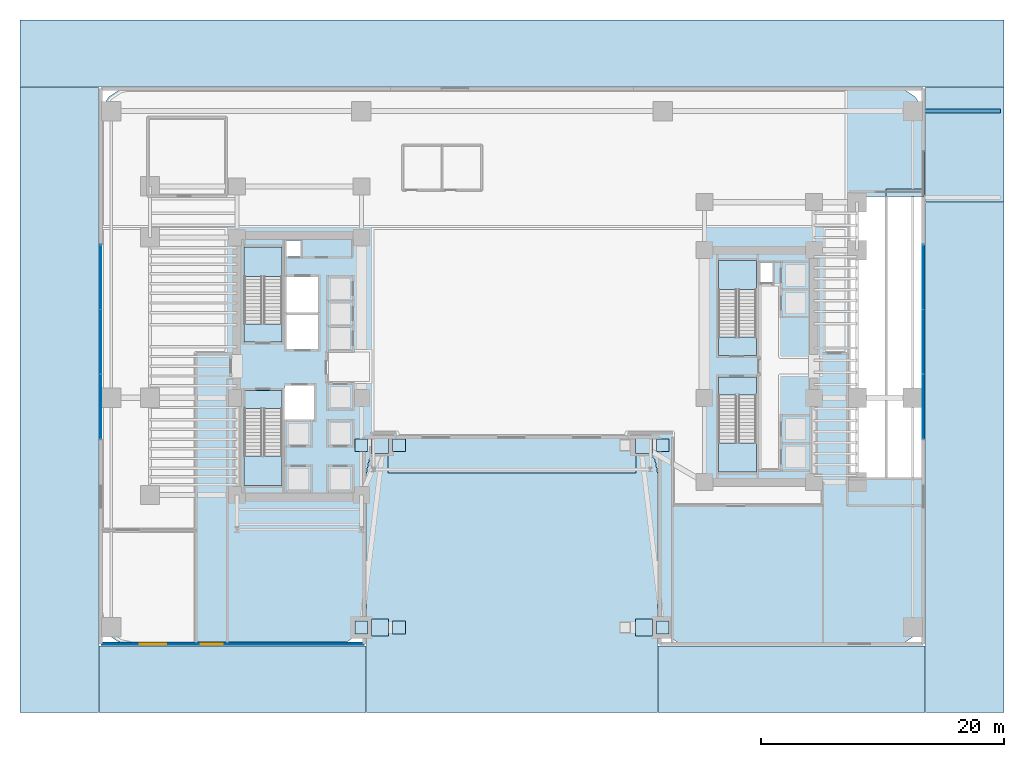
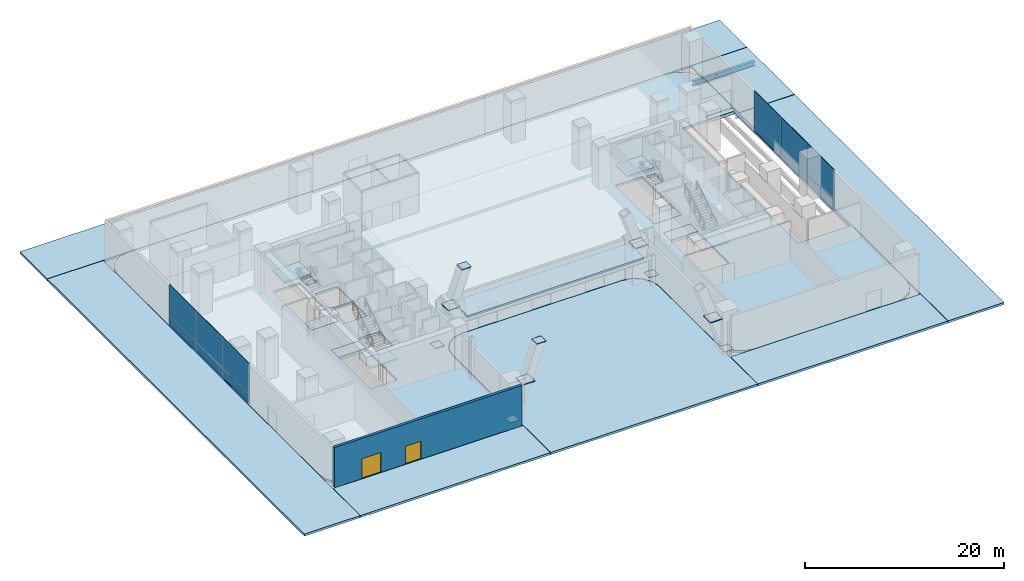
# One storey, part 15 of 27: 20 plates, 18 slabs, 2 doors, 1 beam, 1 wall, 2 openings, 6 elements without a shape of their own.
"""IFC4 building model written with IfcOpenShell, lengths in metres."""

from ifc_helpers import new_model, si_unit, direction, frame, frame_2d, origin, origin_2d, place, context, subcontext, project, spatial, polyline, rectangle, i_section, outline, extrude, source, transform, mapped, material, layer, layer_set, material_profile, profile_set, type_object, element, fill, aggregate, save


model = new_model("IFC4")

# Units and contexts
model_context = context("Model", 3, precision=1e-05, world=origin(), true_north=direction((0.0, 1.0)))
body_context = subcontext(model_context, "Body", "Model", "MODEL_VIEW")
ifc_project = project(units=[si_unit("LENGTHUNIT", "METRE"), si_unit("AREAUNIT", "SQUARE_METRE"), si_unit("VOLUMEUNIT", "CUBIC_METRE"), si_unit("PLANEANGLEUNIT", "RADIAN"), si_unit("MASSUNIT", "GRAM", prefix="KILO")], contexts=[model_context])

# Site, building, storey
site_placement = place(None, origin())
site = spatial("IfcSite", under=ifc_project, at=site_placement, CompositionType="ELEMENT")
building_placement = place(site_placement, origin())
building = spatial("IfcBuilding", under=site, at=building_placement, Name="Valdorenza Pilgrim Sanctuary Tower", CompositionType="ELEMENT")
storey_placement = place(building_placement, origin())
storey = spatial("IfcBuildingStorey", under=building, at=storey_placement, Name="L00", CompositionType="ELEMENT", Elevation=0.0)

# Beam
ifc_material_1 = material(Name="Steel ASTM A992 Grade 50", Category="steel")
ifc_material_profile = material_profile(ifc_material_1, i_section(OverallWidth=0.323974609375, OverallDepth=0.611083984375, WebThickness=0.0126953125, FlangeThickness=0.01904296875, at=origin_2d()), Name="W24X104")
ifc_profile_set = profile_set([ifc_material_profile], Name="Steel ASTM A992 Grade 50")
beam_type = type_object("IfcBeamType", Name="STR-BM-GRD-W24B", PredefinedType="BEAM", material=ifc_profile_set)
shared_shape_1 = source(origin(), body_context, "Body", "SweptSolid", [
    extrude(i_section(OverallWidth=0.323974609375, OverallDepth=0.611083984375, WebThickness=0.0126953125, FlangeThickness=0.01904296875, at=origin_2d()), origin(), (0.0, 0.0, 1.0), 7.199951171875),
])
beam_placement = place(storey_placement, frame((33.0, 21.0, -0.570068359375), z_axis=(1.0, 0.0, 0.0), x_axis=(0.0, 1.0, 0.0)))
element("IfcBeam", 1, at=beam_placement, inside=storey, type_object=beam_type, Name="L00 Driveway Apron Support Beam APR-N", PredefinedType="BEAM", context=body_context, shape_type="MappedRepresentation", body=[
    mapped(shared_shape_1, transform((0.0, 0.0, 0.0), x_axis=(1.0, 0.0, 0.0), y_axis=(0.0, 1.0, 0.0), z_axis=(0.0, 0.0, 1.0), scale=1.0)),
])

# Slabs
ifc_material_2 = material(Name="Champagne anodised aluminium", Category="aluminium")
ifc_layer_1 = layer(ifc_material_2, 0.239990234375, Name="Champagne anodised aluminium")
ifc_layer_set_1 = layer_set([ifc_layer_1], Name="Champagne anodised aluminium")
slab_type_1 = type_object("IfcSlabType", Name="CNPY-PORTAL", PredefinedType="ROOF", material=ifc_layer_set_1)
slab_1_placement = place(storey_placement, frame((0.0, 0.0, 3.89990234375)))
element("IfcSlab", 2, at=slab_1_placement, inside=storey, type_object=slab_type_1, Name="Portal Arch Entrance Weather Canopy", PredefinedType="ROOF", context=body_context, shape_type="SweptSolid", body=[
    extrude(outline(polyline([(-10.199951171875, -8.800048828125), (10.199951171875, -8.800048828125), (10.199951171875, -5.85009765625), (-10.199951171875, -5.85009765625), (-10.199951171875, -8.800048828125)])), origin(), (0.0, 0.0, 1.0), 0.239990234375),
])
ifc_material_3 = material(Name="Concrete C40/50", Category="concrete")
ifc_layer_2 = layer(ifc_material_3, 0.260009765625, Name="Concrete C40/50")
ifc_layer_set_2 = layer_set([ifc_layer_2], Name="Concrete C40/50")
slab_type_2 = type_object("IfcSlabType", Name="SLAB-PAV-190", PredefinedType="USERDEFINED", material=ifc_layer_set_2)
slab_2_placement = place(storey_placement, frame((0.0, 0.0, -0.260009765625)))
element("IfcSlab", 3, at=slab_2_placement, inside=storey, type_object=slab_type_2, Name="Portal Arch Public Plaza Paving", ObjectType="PAVING", PredefinedType="USERDEFINED", context=body_context, shape_type="SweptSolid", body=[
    extrude(outline(polyline([(11.97509765625, -28.5), (-11.97509765625, -28.5), (-11.97509765625, -8.802490234375), (-11.763427734375, -7.73828125), (-11.161865234375, -6.838134765625), (-10.26171875, -6.236572265625), (-9.197509765625, -6.02490234375), (9.197509765625, -6.02490234375), (10.26171875, -6.236572265625), (11.161865234375, -6.838134765625), (11.763427734375, -7.73828125), (11.97509765625, -8.802490234375), (11.97509765625, -28.5)])), origin(), (0.0, 0.0, 1.0), 0.260009765625),
])
slab_3_placement = place(storey_placement, frame((0.0, 0.0, -0.260009765625)))
element("IfcSlab", 4, at=slab_3_placement, inside=storey, type_object=slab_type_2, Name="North Street Sidewalk and Ramp Apron Paving", ObjectType="PAVING", PredefinedType="USERDEFINED", context=body_context, shape_type="SweptSolid", body=[
    extrude(outline(polyline([(-40.5, 28.5), (40.5, 28.5), (40.5, 23.02490234375), (-40.5, 23.02490234375), (-40.5, 28.5)])), origin(), (0.0, 0.0, 1.0), 0.260009765625),
])
slab_4_placement = place(storey_placement, frame((0.0, 0.0, -0.260009765625)))
element("IfcSlab", 5, at=slab_4_placement, inside=storey, type_object=slab_type_2, Name="East Vehicular Ramp Driveway Apron", ObjectType="PAVING", PredefinedType="USERDEFINED", context=body_context, shape_type="SweptSolid", body=[
    extrude(outline(polyline([(40.5, 23.0), (40.5, 13.5), (34.02490234375, 13.5), (34.02490234375, 23.0), (40.5, 23.0)])), origin(), (0.0, 0.0, 1.0), 0.260009765625),
])
slab_5_placement = place(storey_placement, frame((0.0, 0.0, -0.260009765625)))
element("IfcSlab", 6, at=slab_5_placement, inside=storey, type_object=slab_type_2, Name="West Street Exit Sidewalk Paving", ObjectType="PAVING", PredefinedType="USERDEFINED", context=body_context, shape_type="SweptSolid", body=[
    extrude(outline(polyline([(-40.5, -28.5), (-40.5, 23.0), (-34.02490234375, 23.0), (-34.02490234375, -28.5), (-40.5, -28.5)])), origin(), (0.0, 0.0, 1.0), 0.260009765625),
])
slab_6_placement = place(storey_placement, frame((0.0, 0.0, -0.260009765625)))
element("IfcSlab", 7, at=slab_6_placement, inside=storey, type_object=slab_type_2, Name="East Street Exit Sidewalk Paving", ObjectType="PAVING", PredefinedType="USERDEFINED", context=body_context, shape_type="SweptSolid", body=[
    extrude(outline(polyline([(40.5, -28.5), (34.02490234375, -28.5), (34.02490234375, 13.469970703125), (40.5, 13.469970703125), (40.5, -28.5)])), origin(), (0.0, 0.0, 1.0), 0.260009765625),
])
slab_7_placement = place(storey_placement, frame((0.0, 0.0, -0.260009765625)))
element("IfcSlab", 8, at=slab_7_placement, inside=storey, type_object=slab_type_2, Name="South-West Forecourt Paving", ObjectType="PAVING", PredefinedType="USERDEFINED", context=body_context, shape_type="SweptSolid", body=[
    extrude(outline(polyline([(-12.0, -28.5), (-34.0, -28.5), (-34.0, -23.02490234375), (-12.0, -23.02490234375), (-12.0, -28.5)])), origin(), (0.0, 0.0, 1.0), 0.260009765625),
])
slab_8_placement = place(storey_placement, frame((0.0, 0.0, -0.260009765625)))
element("IfcSlab", 9, at=slab_8_placement, inside=storey, type_object=slab_type_2, Name="South-East Forecourt Paving", ObjectType="PAVING", PredefinedType="USERDEFINED", context=body_context, shape_type="SweptSolid", body=[
    extrude(outline(polyline([(34.0, -28.5), (12.0, -28.5), (12.0, -23.02490234375), (34.0, -23.02490234375), (34.0, -28.5)])), origin(), (0.0, 0.0, 1.0), 0.260009765625),
])
ifc_layer_3 = layer(ifc_material_3, 0.280029296875, Name="Concrete C40/50")
ifc_layer_set_3 = layer_set([ifc_layer_3], Name="Concrete C40/50")
slab_type_3 = type_object("IfcSlabType", Name="SLAB-POD-280", PredefinedType="FLOOR", material=ifc_layer_set_3)
slab_9_placement = place(storey_placement, frame((0.0, 0.0, -0.280029296875)))
element("IfcSlab", 10, at=slab_9_placement, inside=storey, type_object=slab_type_3, Name="L00 Structural Floor Slab 1", PredefinedType="FLOOR", context=body_context, shape_type="SweptSolid", body=[
    extrude(outline(polyline([(-34.0, 20.199951171875), (-33.786865234375, 21.271484375), (-33.179931640625, 22.179931640625), (-32.271484375, 22.786865234375), (-31.199951171875, 23.0), (31.199951171875, 23.0), (32.271484375, 22.786865234375), (33.179931640625, 22.179931640625), (33.786865234375, 21.271484375), (34.0, 20.199951171875), (34.0, -20.199951171875), (33.786865234375, -21.271484375), (33.179931640625, -22.179931640625), (32.271484375, -22.786865234375), (31.199951171875, -23.0), (14.800048828125, -23.0), (13.728515625, -22.786865234375), (12.820068359375, -22.179931640625), (12.213134765625, -21.271484375), (12.0, -20.199951171875), (12.0, -8.800048828125), (11.786865234375, -7.728515625), (11.179931640625, -6.820068359375), (10.271484375, -6.213134765625), (9.199951171875, -6.0), (-9.199951171875, -6.0), (-10.271484375, -6.213134765625), (-11.179931640625, -6.820068359375), (-11.786865234375, -7.728515625), (-12.0, -8.800048828125), (-12.0, -20.199951171875), (-12.213134765625, -21.271484375), (-12.820068359375, -22.179931640625), (-13.728515625, -22.786865234375), (-14.800048828125, -23.0), (-31.199951171875, -23.0), (-32.271484375, -22.786865234375), (-33.179931640625, -22.179931640625), (-33.786865234375, -21.271484375), (-34.0, -20.199951171875), (-34.0, 20.199951171875)]), holes=[polyline([(-22.050048828125, -9.800048828125), (-18.93994140625, -9.800048828125), (-18.93994140625, -3.485107421875), (-18.93994140625, -2.0), (-22.050048828125, -2.0), (-22.050048828125, -3.485107421875), (-22.050048828125, -9.800048828125)]), polyline([(-16.300048828125, -4.39990234375), (-16.300048828125, -1.60009765625), (-18.719970703125, -1.60009765625), (-18.719970703125, -4.39990234375), (-16.300048828125, -4.39990234375)]), polyline([(-22.050048828125, 2.0), (-18.93994140625, 2.0), (-18.93994140625, 3.485107421875), (-18.93994140625, 9.800048828125), (-22.050048828125, 9.800048828125), (-22.050048828125, 3.485107421875), (-22.050048828125, 2.0)]), polyline([(-15.949951171875, 1.39990234375), (-15.949951171875, 4.22509765625), (-18.550048828125, 4.22509765625), (-18.550048828125, 1.39990234375), (-15.949951171875, 1.39990234375)]), polyline([(-15.949951171875, 4.425048828125), (-15.949951171875, 7.35009765625), (-18.550048828125, 7.35009765625), (-18.550048828125, 4.425048828125), (-15.949951171875, 4.425048828125)]), polyline([(-17.360107421875, 9.030029296875), (-17.360107421875, 10.35009765625), (-18.570068359375, 10.35009765625), (-18.570068359375, 9.030029296875), (-17.360107421875, 9.030029296875)]), polyline([(17.0, -8.699951171875), (20.110107421875, -8.699951171875), (20.110107421875, -2.385009765625), (20.110107421875, -0.89990234375), (17.0, -0.89990234375), (17.0, -2.385009765625), (17.0, -8.699951171875)]), polyline([(20.110107421875, 0.89990234375), (20.110107421875, 2.385009765625), (20.110107421875, 8.699951171875), (17.0, 8.699951171875), (17.0, 2.385009765625), (17.0, 0.89990234375), (20.110107421875, 0.89990234375)]), polyline([(30.800048828125, 14.60009765625), (30.800048828125, 13.985107421875), (27.800048828125, 13.985107421875), (27.800048828125, -9.18505859375), (33.800048828125, -9.18505859375), (33.800048828125, 13.97998046875), (33.89990234375, 13.97998046875), (33.89990234375, 14.60009765625), (30.800048828125, 14.60009765625)]), polyline([(21.489990234375, 6.860107421875), (21.489990234375, 8.52001953125), (20.409912109375, 8.52001953125), (20.409912109375, 6.860107421875), (21.489990234375, 6.860107421875)])]), origin(), (0.0, 0.0, 1.0), 0.280029296875),
])

# Stair, slab
stair_type = type_object("IfcStairType", Name="STR-DOG-CORE", PredefinedType="HALF_TURN_STAIR", material=ifc_material_3)
stair_1_placement = place(storey_placement, origin())
stair_1 = element("IfcStair", 11, at=stair_1_placement, inside=storey, type_object=stair_type, Name="L00 ST-A1", PredefinedType="HALF_TURN_STAIR")
ifc_layer_4 = layer(ifc_material_3, 0.199951171875, Name="Concrete C40/50")
ifc_layer_set_4 = layer_set([ifc_layer_4], Name="Concrete C40/50")
slab_type_4 = type_object("IfcSlabType", Name="SLAB-STL-200", PredefinedType="LANDING", material=ifc_layer_set_4)
slab_10_placement = place(storey_placement, frame((0.0, 0.0, 2.39990234375)))
slab_10 = element("IfcSlab", 12, at=slab_10_placement, type_object=slab_type_4, Name="ST-A1 landing 1", PredefinedType="LANDING", context=body_context, shape_type="SweptSolid", body=[
    extrude(outline(polyline([(-18.93994140625, 7.39990234375), (-18.93994140625, 9.800048828125), (-22.050048828125, 9.800048828125), (-22.050048828125, 7.39990234375), (-18.93994140625, 7.39990234375)])), origin(), (0.0, 0.0, 1.0), 0.2001953125),
])
aggregate(stair_1, [slab_10])

stair_2_placement = place(storey_placement, origin())
stair_2 = element("IfcStair", 13, at=stair_2_placement, inside=storey, type_object=stair_type, Name="L00 ST-A2", PredefinedType="HALF_TURN_STAIR")
slab_11_placement = place(storey_placement, frame((0.0, 0.0, 2.39990234375)))
slab_11 = element("IfcSlab", 14, at=slab_11_placement, type_object=slab_type_4, Name="ST-A2 landing 1", PredefinedType="LANDING", context=body_context, shape_type="SweptSolid", body=[
    extrude(outline(polyline([(-22.050048828125, -7.39990234375), (-22.050048828125, -9.800048828125), (-18.93994140625, -9.800048828125), (-18.93994140625, -7.39990234375), (-22.050048828125, -7.39990234375)])), origin(), (0.0, 0.0, 1.0), 0.2001953125),
])
aggregate(stair_2, [slab_11])

stair_3_placement = place(storey_placement, origin())
stair_3 = element("IfcStair", 15, at=stair_3_placement, inside=storey, type_object=stair_type, Name="L00 ST-B1", PredefinedType="HALF_TURN_STAIR")
slab_12_placement = place(storey_placement, frame((0.0, 0.0, 2.39990234375)))
slab_12 = element("IfcSlab", 16, at=slab_12_placement, type_object=slab_type_4, Name="ST-B1 landing 1", PredefinedType="LANDING", context=body_context, shape_type="SweptSolid", body=[
    extrude(outline(polyline([(20.110107421875, 6.300048828125), (20.110107421875, 8.699951171875), (17.0, 8.699951171875), (17.0, 6.300048828125), (20.110107421875, 6.300048828125)])), origin(), (0.0, 0.0, 1.0), 0.2001953125),
])
aggregate(stair_3, [slab_12])

stair_4_placement = place(storey_placement, origin())
stair_4 = element("IfcStair", 17, at=stair_4_placement, inside=storey, type_object=stair_type, Name="L00 ST-B2", PredefinedType="HALF_TURN_STAIR")
slab_13_placement = place(storey_placement, frame((0.0, 0.0, 2.39990234375)))
slab_13 = element("IfcSlab", 18, at=slab_13_placement, type_object=slab_type_4, Name="ST-B2 landing 1", PredefinedType="LANDING", context=body_context, shape_type="SweptSolid", body=[
    extrude(outline(polyline([(17.0, -6.300048828125), (17.0, -8.699951171875), (20.110107421875, -8.699951171875), (20.110107421875, -6.300048828125), (17.0, -6.300048828125)])), origin(), (0.0, 0.0, 1.0), 0.2001953125),
])
aggregate(stair_4, [slab_13])

# Slabs
ifc_material_4 = material(Name="Concrete C50/60", Category="concrete")
ifc_layer_5 = layer(ifc_material_4, 0.39990234375, Name="Concrete C50/60")
ifc_layer_set_5 = layer_set([ifc_layer_5], Name="Concrete C50/60")
slab_type_5 = type_object("IfcSlabType", Name="SLAB-TRF-400", PredefinedType="FLOOR", material=ifc_layer_set_5)
slab_14_placement = place(storey_placement, frame((0.0, 0.0, -0.360107421875)))
element("IfcSlab", 19, at=slab_14_placement, inside=storey, type_object=slab_type_5, Name="L00 ST-A1 Structural Stair Landing Bearing Slab", PredefinedType="FLOOR", context=body_context, shape_type="SweptSolid", body=[
    extrude(outline(polyline([(-22.050048828125, 2.0), (-18.93994140625, 2.0), (-18.93994140625, 3.485107421875), (-22.050048828125, 3.485107421875), (-22.050048828125, 2.0)])), origin(), (0.0, 0.0, 1.0), 0.360107421875),
])
slab_15_placement = place(storey_placement, frame((0.0, 0.0, -0.360107421875)))
element("IfcSlab", 20, at=slab_15_placement, inside=storey, type_object=slab_type_5, Name="L00 ST-A2 Structural Stair Landing Bearing Slab", PredefinedType="FLOOR", context=body_context, shape_type="SweptSolid", body=[
    extrude(outline(polyline([(-22.050048828125, -3.485107421875), (-18.93994140625, -3.485107421875), (-18.93994140625, -2.0), (-22.050048828125, -2.0), (-22.050048828125, -3.485107421875)])), origin(), (0.0, 0.0, 1.0), 0.360107421875),
])
slab_16_placement = place(storey_placement, frame((0.0, 0.0, -0.360107421875)))
element("IfcSlab", 21, at=slab_16_placement, inside=storey, type_object=slab_type_5, Name="L00 ST-B1 Structural Stair Landing Bearing Slab", PredefinedType="FLOOR", context=body_context, shape_type="SweptSolid", body=[
    extrude(outline(polyline([(17.0, 0.89990234375), (20.110107421875, 0.89990234375), (20.110107421875, 2.385009765625), (17.0, 2.385009765625), (17.0, 0.89990234375)])), origin(), (0.0, 0.0, 1.0), 0.360107421875),
])
slab_17_placement = place(storey_placement, frame((0.0, 0.0, -0.360107421875)))
element("IfcSlab", 22, at=slab_17_placement, inside=storey, type_object=slab_type_5, Name="L00 ST-B2 Structural Stair Landing Bearing Slab", PredefinedType="FLOOR", context=body_context, shape_type="SweptSolid", body=[
    extrude(outline(polyline([(17.0, -2.385009765625), (20.110107421875, -2.385009765625), (20.110107421875, -0.89990234375), (17.0, -0.89990234375), (17.0, -2.385009765625)])), origin(), (0.0, 0.0, 1.0), 0.360107421875),
])
slab_18_placement = place(storey_placement, frame((0.0, 0.0, -0.3798828125)))
element("IfcSlab", 23, at=slab_18_placement, inside=storey, type_object=slab_type_5, Name="L00 Vehicle Ramp Threshold Bearing Slab", PredefinedType="FLOOR", context=body_context, shape_type="SweptSolid", body=[
    extrude(outline(polyline([(30.800048828125, 13.97998046875), (33.89990234375, 13.97998046875), (33.89990234375, 14.60009765625), (30.800048828125, 14.60009765625), (30.800048828125, 13.97998046875)])), origin(), (0.0, 0.0, 1.0), 0.3798828125),
])

# Plates
ifc_material_5 = material(Name="Steel ASTM A572 Grade 42", Category="steel")
ifc_layer_6 = layer(ifc_material_5, 0.06005859375, Name="Steel ASTM A572 Grade 42")
ifc_layer_set_6 = layer_set([ifc_layer_6], Name="Steel ASTM A572 Grade 42")
plate_type_1 = type_object("IfcPlateType", Name="PLT-CAP-60", PredefinedType="SHEET", material=ifc_layer_set_6)
shared_shape_2 = source(origin(), body_context, "Body", "SweptSolid", [
    extrude(rectangle(XDim=1.050048828125, YDim=1.050048828125, at=origin_2d()), origin(), (0.0, 0.0, 1.0), 0.06005859375),
])
for number, where, z_axis, x_axis, name in (
    (24, (-12.39990234375, -21.5, -0.030029296875), (0.0, 0.0, 1.0), (1.0, 0.0, 0.0), "Parabolic Portal Arch Rib SOUTH Seg 1 End Connection Plate 1"),
    (25, (-9.300048828125, -21.5, 8.544921875), (0.0, 0.0, 1.0), (1.0, 0.0, 0.0), "Parabolic Portal Arch Rib SOUTH Seg 1 End Connection Plate 2"),
    (26, (12.39990234375, -21.5, -0.030029296875), (0.0, 0.0, 1.0), (1.0, 0.0, 0.0), "Parabolic Portal Arch Rib SOUTH Seg 8 End Connection Plate 2"),
    (27, (-12.39990234375, -6.5, -0.030029296875), (0.0, 0.0, 1.0), (1.0, 0.0, 0.0), "Parabolic Portal Arch Rib INNER Seg 1 End Connection Plate 1"),
    (28, (-9.300048828125, -6.5, 8.544921875), (0.0, 0.0, 1.0), (1.0, 0.0, 0.0), "Parabolic Portal Arch Rib INNER Seg 1 End Connection Plate 2"),
    (29, (12.39990234375, -6.5, -0.030029296875), (0.0, 0.0, 1.0), (1.0, 0.0, 0.0), "Parabolic Portal Arch Rib INNER Seg 8 End Connection Plate 2"),
):
    element("IfcPlate", number, at=place(storey_placement, frame(where, z_axis=z_axis, x_axis=x_axis)), inside=storey, type_object=plate_type_1, Name=name, PredefinedType="SHEET", context=body_context, shape_type="MappedRepresentation", body=[
        mapped(shared_shape_2, transform((0.0, 0.0, 0.0), x_axis=(1.0, 0.0, 0.0), y_axis=(0.0, 1.0, 0.0), z_axis=(0.0, 0.0, 1.0), scale=1.0)),
    ])
ifc_layer_7 = layer(ifc_material_5, 0.090087890625, Name="Steel ASTM A572 Grade 42")
ifc_layer_set_7 = layer_set([ifc_layer_7], Name="Steel ASTM A572 Grade 42")
plate_type_2 = type_object("IfcPlateType", Name="PLT-GUS-90", PredefinedType="USERDEFINED", material=ifc_layer_set_7)
shared_shape_3 = source(origin(), body_context, "Body", "SweptSolid", [
    extrude(rectangle(XDim=1.39990234375, YDim=1.39990234375, at=origin_2d()), origin(), (0.0, 0.0, 1.0), 0.090087890625),
])
for number, where, z_axis, x_axis, name in (
    (30, (-10.85009765625, -21.5, 4.24267578125), (0.0, 0.0, 1.0), (1.0, 0.0, 0.0), "Truss Node Gusset Assembly AN-01 (MB-ARCH-SOUTH-1)"),
    (31, (10.85009765625, -21.5, 4.24267578125), (0.0, 0.0, 1.0), (1.0, 0.0, 0.0), "Truss Node Gusset Assembly AN-01 (MB-ARCH-SOUTH-8)"),
    (32, (-10.85009765625, -6.5, 4.24267578125), (0.0, 0.0, 1.0), (1.0, 0.0, 0.0), "Truss Node Gusset Assembly AN-01 (MB-ARCH-INNER-1)"),
    (33, (10.85009765625, -6.5, 4.24267578125), (0.0, 0.0, 1.0), (1.0, 0.0, 0.0), "Truss Node Gusset Assembly AN-01 (MB-ARCH-INNER-8)"),
):
    element("IfcPlate", number, at=place(storey_placement, frame(where, z_axis=z_axis, x_axis=x_axis)), inside=storey, type_object=plate_type_2, Name=name, ObjectType="GUSSET PLATE", PredefinedType="USERDEFINED", context=body_context, shape_type="MappedRepresentation", body=[
        mapped(shared_shape_3, transform((0.0, 0.0, 0.0), x_axis=(1.0, 0.0, 0.0), y_axis=(0.0, 1.0, 0.0), z_axis=(0.0, 0.0, 1.0), scale=1.0)),
    ])

# Curtain wall, plates
ifc_material_6 = material(Name="Curtain-wall IGU glazing", Category="glass")
curtain_wall_type = type_object("IfcCurtainWallType", Name="CW-SYS-01", PredefinedType="NOTDEFINED", material=ifc_material_6)
curtain_wall_1_placement = place(storey_placement, origin())
curtain_wall_1 = element("IfcCurtainWall", 34, at=curtain_wall_1_placement, inside=storey, type_object=curtain_wall_type, Name="L00 Curtain Wall CW-POD-L00-WW", PredefinedType="NOTDEFINED")
ifc_material_7 = material(Name="Honed travertine limestone", Category="masonry")
ifc_layer_8 = layer(ifc_material_7, 0.050048828125, Name="Honed travertine limestone")
ifc_layer_set_8 = layer_set([ifc_layer_8], Name="Honed travertine limestone")
plate_type_3 = type_object("IfcPlateType", Name="CW-SPN-TRV", PredefinedType="USERDEFINED", material=ifc_layer_set_8)
shared_shape_4 = source(origin(), body_context, "Body", "SweptSolid", [
    extrude(rectangle(XDim=5.313232421875, YDim=0.06005859375, at=origin_2d()), origin(), (0.0, 0.0, 1.0), 1.10009765625),
])
plate_1_placement = place(storey_placement, frame((-33.85009765625, -3.333251953125, 0.010009765625), z_axis=(0.0, 0.0, 1.0), x_axis=(0.0, 1.0, 0.0)))
plate_1 = element("IfcPlate", 35, at=plate_1_placement, type_object=plate_type_3, Name="CW-POD-L00-WW Travertine Spandrel 1", ObjectType="SPANDREL", PredefinedType="USERDEFINED", context=body_context, shape_type="MappedRepresentation", body=[
    mapped(shared_shape_4, transform((0.0, 0.0, 0.0), x_axis=(1.0, 0.0, 0.0), y_axis=(0.0, 1.0, 0.0), z_axis=(0.0, 0.0, 1.0), scale=1.0)),
])
plate_2_placement = place(storey_placement, frame((-33.85009765625, 7.333251953125, 0.010009765625), z_axis=(0.0, 0.0, 1.0), x_axis=(0.0, 1.0, 0.0)))
plate_2 = element("IfcPlate", 36, at=plate_2_placement, type_object=plate_type_3, Name="CW-POD-L00-WW Travertine Spandrel 3", ObjectType="SPANDREL", PredefinedType="USERDEFINED", context=body_context, shape_type="MappedRepresentation", body=[
    mapped(shared_shape_4, transform((0.0, 0.0, 0.0), x_axis=(1.0, 0.0, 0.0), y_axis=(0.0, 1.0, 0.0), z_axis=(0.0, 0.0, 1.0), scale=1.0)),
])

curtain_wall_2_placement = place(storey_placement, origin())
curtain_wall_2 = element("IfcCurtainWall", 37, at=curtain_wall_2_placement, inside=storey, type_object=curtain_wall_type, Name="L00 Curtain Wall CW-POD-L00-EE", PredefinedType="NOTDEFINED")
plate_3_placement = place(storey_placement, frame((33.85009765625, -3.333251953125, 0.010009765625), z_axis=(0.0, 0.0, 1.0), x_axis=(0.0, 1.0, 0.0)))
plate_3 = element("IfcPlate", 38, at=plate_3_placement, type_object=plate_type_3, Name="CW-POD-L00-EE Travertine Spandrel 1", ObjectType="SPANDREL", PredefinedType="USERDEFINED", context=body_context, shape_type="MappedRepresentation", body=[
    mapped(shared_shape_4, transform((0.0, 0.0, 0.0), x_axis=(1.0, 0.0, 0.0), y_axis=(0.0, 1.0, 0.0), z_axis=(0.0, 0.0, 1.0), scale=1.0)),
])
plate_4_placement = place(storey_placement, frame((33.85009765625, 7.333251953125, 0.010009765625), z_axis=(0.0, 0.0, 1.0), x_axis=(0.0, 1.0, 0.0)))
plate_4 = element("IfcPlate", 39, at=plate_4_placement, type_object=plate_type_3, Name="CW-POD-L00-EE Travertine Spandrel 3", ObjectType="SPANDREL", PredefinedType="USERDEFINED", context=body_context, shape_type="MappedRepresentation", body=[
    mapped(shared_shape_4, transform((0.0, 0.0, 0.0), x_axis=(1.0, 0.0, 0.0), y_axis=(0.0, 1.0, 0.0), z_axis=(0.0, 0.0, 1.0), scale=1.0)),
])

# Plate
ifc_material_8 = material(Name="Ceramic-fritted low-E IGU glazing", Category="glass")
ifc_layer_9 = layer(ifc_material_8, 0.035888671875, Name="Ceramic-fritted low-E IGU glazing")
ifc_layer_set_9 = layer_set([ifc_layer_9], Name="Ceramic-fritted low-E IGU glazing")
plate_type_4 = type_object("IfcPlateType", Name="CW-GLZ-IGU", PredefinedType="USERDEFINED", material=ifc_layer_set_9)
shared_shape_5 = source(origin(), body_context, "Body", "SweptSolid", [
    extrude(rectangle(XDim=5.313232421875, YDim=0.050048828125, at=origin_2d()), origin(), (0.0, 0.0, 1.0), 3.780029296875),
])
plate_5_placement = place(storey_placement, frame((-33.85009765625, -3.333251953125, 1.1298828125), z_axis=(0.0, 0.0, 1.0), x_axis=(0.0, 1.0, 0.0)))
plate_5 = element("IfcPlate", 40, at=plate_5_placement, type_object=plate_type_4, Name="CW-POD-L00-WW Facade Panel 1", ObjectType="GLAZING", PredefinedType="USERDEFINED", context=body_context, shape_type="MappedRepresentation", body=[
    mapped(shared_shape_5, transform((0.0, 0.0, 0.0), x_axis=(1.0, 0.0, 0.0), y_axis=(0.0, 1.0, 0.0), z_axis=(0.0, 0.0, 1.0), scale=1.0)),
])

plate_6_placement = place(storey_placement, frame((-33.85009765625, 7.333251953125, 1.1298828125), z_axis=(0.0, 0.0, 1.0), x_axis=(0.0, 1.0, 0.0)))
plate_6 = element("IfcPlate", 41, at=plate_6_placement, type_object=plate_type_4, Name="CW-POD-L00-WW Facade Panel 3", ObjectType="GLAZING", PredefinedType="USERDEFINED", context=body_context, shape_type="MappedRepresentation", body=[
    mapped(shared_shape_5, transform((0.0, 0.0, 0.0), x_axis=(1.0, 0.0, 0.0), y_axis=(0.0, 1.0, 0.0), z_axis=(0.0, 0.0, 1.0), scale=1.0)),
])

plate_7_placement = place(storey_placement, frame((33.85009765625, -3.333251953125, 1.1298828125), z_axis=(0.0, 0.0, 1.0), x_axis=(0.0, 1.0, 0.0)))
plate_7 = element("IfcPlate", 42, at=plate_7_placement, type_object=plate_type_4, Name="CW-POD-L00-EE Facade Panel 1", ObjectType="GLAZING", PredefinedType="USERDEFINED", context=body_context, shape_type="MappedRepresentation", body=[
    mapped(shared_shape_5, transform((0.0, 0.0, 0.0), x_axis=(1.0, 0.0, 0.0), y_axis=(0.0, 1.0, 0.0), z_axis=(0.0, 0.0, 1.0), scale=1.0)),
])

plate_8_placement = place(storey_placement, frame((33.85009765625, 7.333251953125, 1.1298828125), z_axis=(0.0, 0.0, 1.0), x_axis=(0.0, 1.0, 0.0)))
plate_8 = element("IfcPlate", 43, at=plate_8_placement, type_object=plate_type_4, Name="CW-POD-L00-EE Facade Panel 3", ObjectType="GLAZING", PredefinedType="USERDEFINED", context=body_context, shape_type="MappedRepresentation", body=[
    mapped(shared_shape_5, transform((0.0, 0.0, 0.0), x_axis=(1.0, 0.0, 0.0), y_axis=(0.0, 1.0, 0.0), z_axis=(0.0, 0.0, 1.0), scale=1.0)),
])

shared_shape_6 = source(origin(), body_context, "Body", "SweptSolid", [
    extrude(rectangle(XDim=5.313232421875, YDim=0.050048828125, at=origin_2d()), origin(), (0.0, 0.0, 1.0), 4.89990234375),
])
plate_9_placement = place(storey_placement, frame((-33.85009765625, 2.0, 0.010009765625), z_axis=(0.0, 0.0, 1.0), x_axis=(0.0, 1.0, 0.0)))
plate_9 = element("IfcPlate", 44, at=plate_9_placement, type_object=plate_type_4, Name="CW-POD-L00-WW Full-Height Facade Panel 2", ObjectType="GLAZING", PredefinedType="USERDEFINED", context=body_context, shape_type="MappedRepresentation", body=[
    mapped(shared_shape_6, transform((0.0, 0.0, 0.0), x_axis=(1.0, 0.0, 0.0), y_axis=(0.0, 1.0, 0.0), z_axis=(0.0, 0.0, 1.0), scale=1.0)),
])

aggregate(curtain_wall_1, [plate_1, plate_5, plate_9, plate_2, plate_6])

plate_10_placement = place(storey_placement, frame((33.85009765625, 2.0, 0.010009765625), z_axis=(0.0, 0.0, 1.0), x_axis=(0.0, 1.0, 0.0)))
plate_10 = element("IfcPlate", 45, at=plate_10_placement, type_object=plate_type_4, Name="CW-POD-L00-EE Full-Height Facade Panel 2", ObjectType="GLAZING", PredefinedType="USERDEFINED", context=body_context, shape_type="MappedRepresentation", body=[
    mapped(shared_shape_6, transform((0.0, 0.0, 0.0), x_axis=(1.0, 0.0, 0.0), y_axis=(0.0, 1.0, 0.0), z_axis=(0.0, 0.0, 1.0), scale=1.0)),
])

aggregate(curtain_wall_2, [plate_3, plate_7, plate_10, plate_4, plate_8])

# Wall, openings, doors
ifc_layer_10 = layer(ifc_material_7, 0.300048828125, Name="Honed travertine limestone")
ifc_layer_set_10 = layer_set([ifc_layer_10], Name="Honed travertine limestone")
wall_type = type_object("IfcWallType", Name="WAL-EXT-300", PredefinedType="SOLIDWALL", material=ifc_layer_set_10)
wall_placement = place(storey_placement, frame((-33.85009765625, -22.85009765625, 0.0), z_axis=(0.0, 0.0, 1.0), x_axis=(1.0, 0.0, 0.0)))
wall = element("IfcWall", 46, at=wall_placement, inside=storey, type_object=wall_type, Name="L00 Podium Honed Travertine Stone Wall S-W", PredefinedType="SOLIDWALL", context=body_context, shape_type="SweptSolid", body=[
    extrude(rectangle(XDim=21.7001953125, YDim=0.300048828125, at=frame_2d((10.85009765625, 0.0))), origin(), (0.0, 0.0, 1.0), 4.919921875),
])
opening_1_placement = place(wall_placement, frame((3.199951171875, 0.0, 0.0)))
opening_1 = element("IfcOpeningElement", 47, at=opening_1_placement, cuts=wall, Name="Opening D-SHP-01", PredefinedType="OPENING", context=body_context, shape_type="SweptSolid", body=[
    extrude(rectangle(XDim=2.199951171875, YDim=2.449951171875, at=frame_2d((1.10009765625, 1.22509765625))), frame((0.0, 0.1650390625, 0.0), z_axis=(0.0, -1.0, 0.0), x_axis=(1.0, 0.0, 0.0)), (0.0, 0.0, 1.0), 0.329833984375),
])
opening_2_placement = place(wall_placement, frame((8.22509765625, 0.0, 0.0)))
opening_2 = element("IfcOpeningElement", 48, at=opening_2_placement, cuts=wall, Name="Opening D-EXP-W", PredefinedType="OPENING", context=body_context, shape_type="SweptSolid", body=[
    extrude(rectangle(XDim=1.800048828125, YDim=2.199951171875, at=frame_2d((0.89990234375, 1.10009765625))), frame((0.0, 0.1650390625, 0.0), z_axis=(0.0, -1.0, 0.0), x_axis=(1.0, 0.0, 0.0)), (0.0, 0.0, 1.0), 0.329833984375),
])
ifc_material_9 = material(Name="Champagne anodised aluminium and glass", Category="aluminium")
door_type_1 = type_object("IfcDoorType", Name="DR-EXT-DBL-2200", OperationType="NOTDEFINED", PredefinedType="DOOR", material=ifc_material_9)
door_1_placement = place(opening_1_placement, frame((2.199951171875, 0.0, 0.0), z_axis=(0.0, 0.0, 1.0), x_axis=(-1.0, 0.0, 0.0)))
door_1 = element("IfcDoor", 49, at=door_1_placement, inside=storey, type_object=door_type_1, Name="L00 Pilgrim Bookshop Direct Street Entrance", OperationType="SINGLE_SWING_LEFT", OverallHeight=2.449951171875, OverallWidth=2.199951171875, PredefinedType="DOOR", context=body_context, shape_type="SweptSolid", body=[
    extrude(rectangle(XDim=2.199951171875, YDim=2.449951171875, at=frame_2d((1.10009765625, 1.22509765625))), frame((0.0, 0.02490234375, 0.0), z_axis=(0.0, -1.0, 0.0), x_axis=(1.0, 0.0, 0.0)), (0.0, 0.0, 1.0), 0.050048828125),
])
fill(opening_1, door_1)
ifc_material_10 = material(Name="Painted galvanized steel", Category="steel")
door_type_2 = type_object("IfcDoorType", Name="DR-EXT-ESC-1800", OperationType="NOTDEFINED", PredefinedType="DOOR", material=ifc_material_10)
door_2_placement = place(opening_2_placement, frame((1.800048828125, 0.0, 0.0), z_axis=(0.0, 0.0, 1.0), x_axis=(-1.0, 0.0, 0.0)))
door_2 = element("IfcDoor", 50, at=door_2_placement, inside=storey, type_object=door_type_2, Name="L00 Core A Protected Stair Discharge Final Exit Door", OperationType="SINGLE_SWING_LEFT", OverallHeight=2.199951171875, OverallWidth=1.800048828125, PredefinedType="DOOR", context=body_context, shape_type="SweptSolid", body=[
    extrude(rectangle(XDim=1.800048828125, YDim=2.199951171875, at=frame_2d((0.89990234375, 1.10009765625))), frame((0.0, 0.02490234375, 0.0), z_axis=(0.0, -1.0, 0.0), x_axis=(1.0, 0.0, 0.0)), (0.0, 0.0, 1.0), 0.050048828125),
])
fill(opening_2, door_2)

save(model, "model.ifc")
